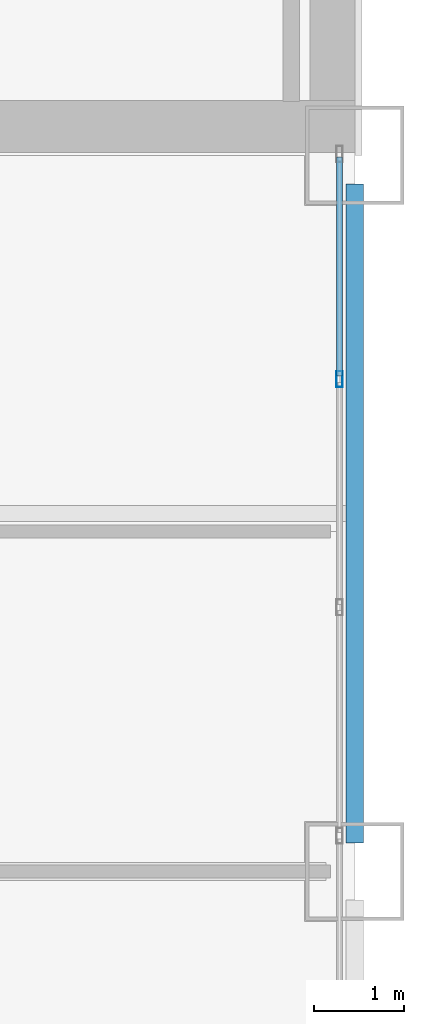
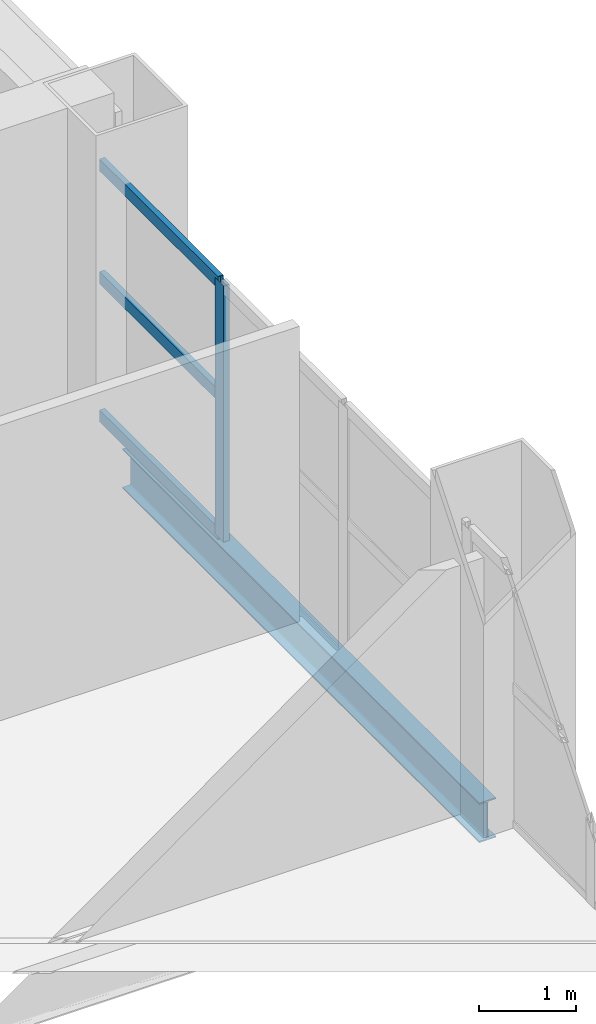
# One storey, part 8 of 16: 4 members, 1 beam, 1 element without a shape of its own.
"""IFC4 building model written with IfcOpenShell, lengths in metres."""

from ifc_helpers import new_model, si_unit, direction, frame, origin, origin_2d, place, context, subcontext, project, spatial, hollow_rectangle, i_section, extrude, material, layer, layer_set, material_profile, profile_set, type_object, element, aggregate, save


model = new_model("IFC4")

# Units and contexts
model_context = context("Model", 3, precision=1e-05, world=origin(), true_north=direction((0.0, 1.0)))
body_context = subcontext(model_context, "Body", "Model", "MODEL_VIEW")
ifc_project = project(units=[si_unit("LENGTHUNIT", "METRE"), si_unit("AREAUNIT", "SQUARE_METRE"), si_unit("VOLUMEUNIT", "CUBIC_METRE"), si_unit("PLANEANGLEUNIT", "RADIAN"), si_unit("MASSUNIT", "GRAM", prefix="KILO")], contexts=[model_context])

# Site, building, storey
site_placement = place(None, origin())
site = spatial("IfcSite", under=ifc_project, at=site_placement, CompositionType="ELEMENT")
building_placement = place(site_placement, origin())
building = spatial("IfcBuilding", under=site, at=building_placement, Name="Qianrong Seaharbour Tower", CompositionType="ELEMENT")
storey_placement = place(building_placement, frame((0.0, 0.0, 119.0)))
storey = spatial("IfcBuildingStorey", under=building, at=storey_placement, Name="L28", CompositionType="ELEMENT", Elevation=119.0)

# Beam
ifc_material_1 = material(Name="Structural steel SN490B", Category="steel")
ifc_material_profile_1 = material_profile(ifc_material_1, i_section(OverallWidth=0.199951171875, OverallDepth=0.5, WebThickness=0.010009765625, FlangeThickness=0.01611328125, FilletRadius=0.02001953125, at=origin_2d()), Name="H500x200x10x16")
ifc_profile_set_1 = profile_set([ifc_material_profile_1], Name="Structural steel SN490B")
beam_type = type_object("IfcBeamType", Name="BM-SP-500", PredefinedType="SPANDREL", material=ifc_profile_set_1)
beam_placement = place(storey_placement, frame((64.0, 28.320068359375, -0.485107421875), z_axis=(0.0, 1.0, 0.0), x_axis=(-1.0, 0.0, 0.0)))
element("IfcBeam", 1, at=beam_placement, inside=storey, type_object=beam_type, Name="L28 Spandrel Girder G9 GE-GF", PredefinedType="SPANDREL", context=body_context, shape_type="SweptSolid", body=[
    extrude(i_section(OverallWidth=0.199951171875, OverallDepth=0.5, WebThickness=0.010009765625, FlangeThickness=0.01611328125, FilletRadius=0.02001953125, at=origin_2d()), origin(), (0.0, 0.0, 1.0), 7.35986328125),
])

# Curtain wall, members
ifc_material_2 = material(Name="Anodised aluminium 6063-T6 and laminated low-e glass", Category="aluminium")
ifc_layer = layer(ifc_material_2, 0.195068359375)
ifc_layer_set = layer_set([ifc_layer], Name="Anodised aluminium 6063-T6 and laminated low-e glass")
curtain_wall_type = type_object("IfcCurtainWallType", Name="CW-SYS-3", PredefinedType="NOTDEFINED", material=ifc_layer_set)
curtain_wall_placement = place(storey_placement, origin())
curtain_wall = element("IfcCurtainWall", 2, at=curtain_wall_placement, inside=storey, type_object=curtain_wall_type, Name="L28 Sky-Garden Wintergarden Curtain Wall EAST_WING", PredefinedType="NOTDEFINED")
ifc_material_3 = material(Name="Extruded aluminium 6063-T6", Category="aluminium")
ifc_material_profile_2 = material_profile(ifc_material_3, hollow_rectangle(XDim=0.070068359375, YDim=0.179931640625, WallThickness=0.00390625, at=origin_2d()), Name="ALU-MUL-180x70x4")
ifc_profile_set_2 = profile_set([ifc_material_profile_2], Name="Extruded aluminium 6063-T6")
member_type_1 = type_object("IfcMemberType", Name="CW-MUL-180", PredefinedType="MULLION", material=ifc_profile_set_2)
member_1_placement = place(storey_placement, frame((63.830078125, 33.5, 0.0), z_axis=(0.0, 0.0, 1.0), x_axis=(1.0, 0.0, 0.0)))
member_1 = element("IfcMember", 3, at=member_1_placement, type_object=member_type_1, Name="CW-3 mullion 2", PredefinedType="MULLION", context=body_context, shape_type="SweptSolid", body=[
    extrude(hollow_rectangle(XDim=0.070068359375, YDim=0.179931640625, WallThickness=0.00390625, at=origin_2d()), origin(), (0.0, 0.0, 1.0), 3.22509765625),
])
ifc_material_profile_3 = material_profile(ifc_material_3, hollow_rectangle(XDim=0.06494140625, YDim=0.14990234375, WallThickness=0.00390625, at=origin_2d()), Name="ALU-TRN-150x65x4")
ifc_profile_set_3 = profile_set([ifc_material_profile_3], Name="Extruded aluminium 6063-T6")
member_type_2 = type_object("IfcMemberType", Name="CW-TRN-150", PredefinedType="USERDEFINED", material=ifc_profile_set_3)
member_2_placement = place(storey_placement, frame((63.830078125, 35.97998046875, 0.032470703125), z_axis=(0.0, -1.0, 0.0), x_axis=(1.0, 0.0, 0.0)))
member_2 = element("IfcMember", 4, at=member_2_placement, type_object=member_type_2, Name="CW-3 transom 1.1", ObjectType="TRANSOM", PredefinedType="USERDEFINED", context=body_context, shape_type="SweptSolid", body=[
    extrude(hollow_rectangle(XDim=0.06494140625, YDim=0.14990234375, WallThickness=0.00390625, at=origin_2d()), origin(), (0.0, 0.0, 1.0), 2.445068359375),
])
member_3_placement = place(storey_placement, frame((63.830078125, 35.97998046875, 1.773681640625), z_axis=(0.0, -1.0, 0.0), x_axis=(1.0, 0.0, 0.0)))
member_3 = element("IfcMember", 5, at=member_3_placement, type_object=member_type_2, Name="CW-3 transom 1.2", ObjectType="TRANSOM", PredefinedType="USERDEFINED", context=body_context, shape_type="SweptSolid", body=[
    extrude(hollow_rectangle(XDim=0.06494140625, YDim=0.14990234375, WallThickness=0.00390625, at=origin_2d()), origin(), (0.0, 0.0, 1.0), 2.445068359375),
])
member_4_placement = place(storey_placement, frame((63.830078125, 35.97998046875, 3.1923828125), z_axis=(0.0, -1.0, 0.0), x_axis=(1.0, 0.0, 0.0)))
member_4 = element("IfcMember", 6, at=member_4_placement, type_object=member_type_2, Name="CW-3 transom 1.3", ObjectType="TRANSOM", PredefinedType="USERDEFINED", context=body_context, shape_type="SweptSolid", body=[
    extrude(hollow_rectangle(XDim=0.06494140625, YDim=0.14990234375, WallThickness=0.00390625, at=origin_2d()), origin(), (0.0, 0.0, 1.0), 2.445068359375),
])
aggregate(curtain_wall, [member_1, member_2, member_3, member_4])

save(model, "model.ifc")
